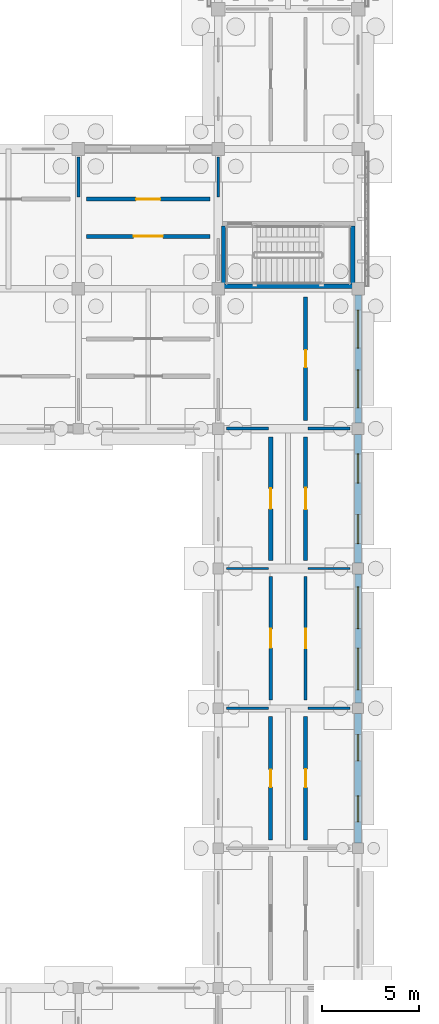
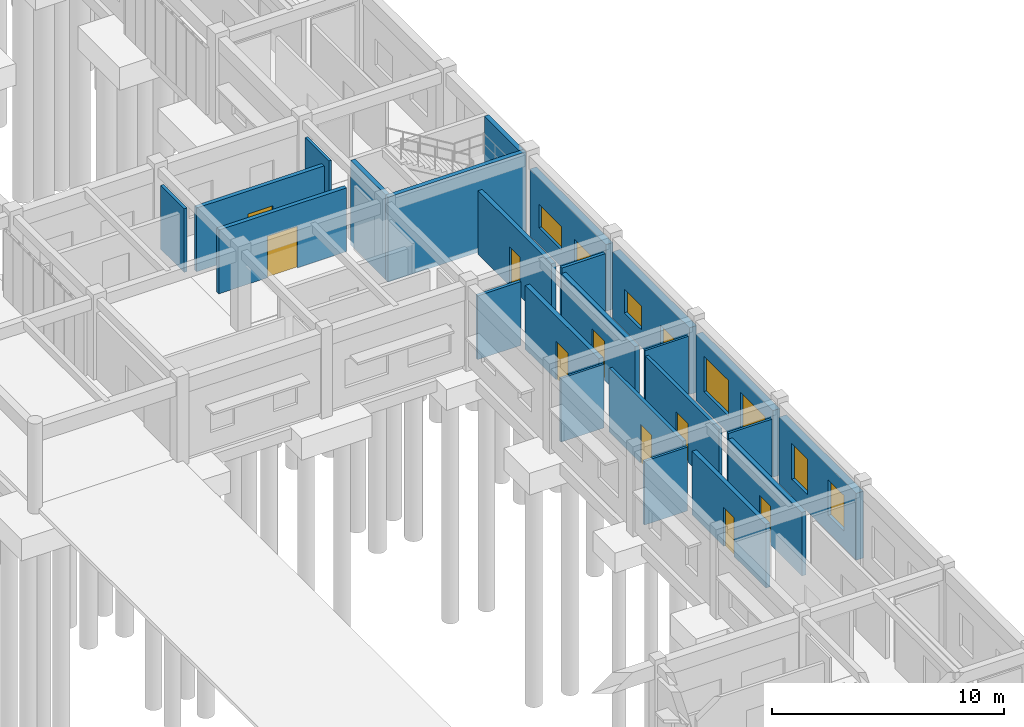
# One storey, part 79 of 111: 24 walls, 9 doors, 8 windows, 17 openings.
"""IFC4 building model written with IfcOpenShell, lengths in metres."""

from ifc_helpers import new_model, si_unit, direction, frame, frame_2d, origin, place, context, subcontext, project, spatial, rectangle, extrude, material, layer, layer_set, type_object, element, fill, save


model = new_model("IFC4")

# Units and contexts
model_context = context("Model", 3, precision=1e-05, world=origin(), true_north=direction((0.0, 1.0)))
body_context = subcontext(model_context, "Body", "Model", "MODEL_VIEW")
ifc_project = project(units=[si_unit("LENGTHUNIT", "METRE"), si_unit("AREAUNIT", "SQUARE_METRE"), si_unit("VOLUMEUNIT", "CUBIC_METRE"), si_unit("PLANEANGLEUNIT", "RADIAN"), si_unit("MASSUNIT", "GRAM", prefix="KILO")], contexts=[model_context])

# Site, building, storey
site_placement = place(None, origin())
site = spatial("IfcSite", under=ifc_project, at=site_placement, CompositionType="ELEMENT")
building_placement = place(site_placement, origin())
building = spatial("IfcBuilding", under=site, at=building_placement, Name="Aldebral Square Health Centre", CompositionType="ELEMENT")
storey_placement = place(building_placement, origin())
storey = spatial("IfcBuildingStorey", under=building, at=storey_placement, Name="L00", CompositionType="ELEMENT", Elevation=0.0)

# Wall, openings, windows
ifc_material_1 = material(Name="Cream cantera stone and concrete wall C35/45", Category="masonry")
ifc_layer_1 = layer(ifc_material_1, 0.340087890625, Name="Cream cantera stone and concrete wall C35/45", Category="masonry")
ifc_layer_set_1 = layer_set([ifc_layer_1], Name="Cream cantera stone and concrete wall C35/45")
wall_type_1 = type_object("IfcWallType", Name="EW-CAN-340", PredefinedType="SOLIDWALL", material=ifc_layer_set_1)
wall_1_placement = place(storey_placement, frame((165.60009765625, 36.27490234375, 0.0), z_axis=(0.0, 0.0, 1.0), x_axis=(0.0, 1.0, 0.0)))
wall_1 = element("IfcWall", 1, at=wall_1_placement, inside=storey, type_object=wall_type_1, Name="L00 V3 exterior wall L00-V3-22-05-E", PredefinedType="SOLIDWALL", context=body_context, shape_type="SweptSolid", body=[
    extrude(rectangle(XDim=6.650146484375, YDim=0.340087890625, at=frame_2d((3.3251953125, 0.0))), origin(), (0.0, 0.0, 1.0), 3.52001953125),
])
opening_1_placement = place(wall_1_placement, frame((0.675048828125, 0.0, 0.89990234375)))
opening_1 = element("IfcOpeningElement", 2, at=opening_1_placement, cuts=wall_1, Name="Opening W54", PredefinedType="OPENING", context=body_context, shape_type="SweptSolid", body=[
    extrude(rectangle(XDim=2.14990234375, YDim=1.8798828125, at=frame_2d((1.074951171875, 0.93994140625))), frame((0.0, 0.18017578125, 0.0), z_axis=(0.0, -1.0, 0.0), x_axis=(1.0, 0.0, 0.0)), (0.0, 0.0, 1.0), 0.360107421875),
])
opening_2_placement = place(wall_1_placement, frame((3.824951171875, 0.0, 0.89990234375)))
opening_2 = element("IfcOpeningElement", 3, at=opening_2_placement, cuts=wall_1, Name="Opening W54", PredefinedType="OPENING", context=body_context, shape_type="SweptSolid", body=[
    extrude(rectangle(XDim=2.14990234375, YDim=1.8798828125, at=frame_2d((1.074951171875, 0.93994140625))), frame((0.0, 0.18017578125, 0.0), z_axis=(0.0, -1.0, 0.0), x_axis=(1.0, 0.0, 0.0)), (0.0, 0.0, 1.0), 0.360107421875),
])
ifc_material_2 = material(Name="Thermally broken aluminium and low-E glass", Category="aluminium")
window_type_1 = type_object("IfcWindowType", Name="WIN-W54", PartitioningType="SINGLE_PANEL", PredefinedType="WINDOW", material=ifc_material_2)
window_1_placement = place(opening_1_placement, origin())
window_1 = element("IfcWindow", 4, at=window_1_placement, inside=storey, type_object=window_type_1, Name="L00 clinical window L00-V3-22-05-E.1", OverallHeight=1.8798828125, OverallWidth=2.14990234375, PartitioningType="SINGLE_PANEL", PredefinedType="WINDOW", context=body_context, shape_type="SweptSolid", body=[
    extrude(rectangle(XDim=2.14990234375, YDim=1.8798828125, at=frame_2d((1.074951171875, 0.93994140625))), frame((0.0, 0.030029296875, 0.0), z_axis=(0.0, -1.0, 0.0), x_axis=(1.0, 0.0, 0.0)), (0.0, 0.0, 1.0), 0.06005859375),
])
fill(opening_1, window_1)
window_2_placement = place(opening_2_placement, origin())
window_2 = element("IfcWindow", 5, at=window_2_placement, inside=storey, type_object=window_type_1, Name="L00 clinical window L00-V3-22-05-E.2", OverallHeight=1.8798828125, OverallWidth=2.14990234375, PartitioningType="SINGLE_PANEL", PredefinedType="WINDOW", context=body_context, shape_type="SweptSolid", body=[
    extrude(rectangle(XDim=2.14990234375, YDim=1.8798828125, at=frame_2d((1.074951171875, 0.93994140625))), frame((0.0, 0.030029296875, 0.0), z_axis=(0.0, -1.0, 0.0), x_axis=(1.0, 0.0, 0.0)), (0.0, 0.0, 1.0), 0.06005859375),
])
fill(opening_2, window_2)

wall_2_placement = place(storey_placement, frame((165.60009765625, 50.699951171875, 0.0), z_axis=(0.0, 0.0, 1.0), x_axis=(0.0, 1.0, 0.0)))
wall_2 = element("IfcWall", 6, at=wall_2_placement, inside=storey, type_object=wall_type_1, Name="L00 V5 exterior wall L00-V5-22-07-E", PredefinedType="SOLIDWALL", context=body_context, shape_type="SweptSolid", body=[
    extrude(rectangle(XDim=6.574951171875, YDim=0.340087890625, at=frame_2d((3.28759765625, 0.0))), origin(), (0.0, 0.0, 1.0), 3.52001953125),
])
opening_3_placement = place(wall_2_placement, frame((0.77490234375, 0.0, 0.89990234375)))
opening_3 = element("IfcOpeningElement", 7, at=opening_3_placement, cuts=wall_2, Name="Opening W08", PredefinedType="OPENING", context=body_context, shape_type="SweptSolid", body=[
    extrude(rectangle(XDim=1.949951171875, YDim=1.25, at=frame_2d((0.97509765625, 0.625))), frame((0.0, 0.18017578125, 0.0), z_axis=(0.0, -1.0, 0.0), x_axis=(1.0, 0.0, 0.0)), (0.0, 0.0, 1.0), 0.360107421875),
])
opening_4_placement = place(wall_2_placement, frame((3.85009765625, 0.0, 0.89990234375)))
opening_4 = element("IfcOpeningElement", 8, at=opening_4_placement, cuts=wall_2, Name="Opening W08", PredefinedType="OPENING", context=body_context, shape_type="SweptSolid", body=[
    extrude(rectangle(XDim=1.949951171875, YDim=1.25, at=frame_2d((0.97509765625, 0.625))), frame((0.0, 0.18017578125, 0.0), z_axis=(0.0, -1.0, 0.0), x_axis=(1.0, 0.0, 0.0)), (0.0, 0.0, 1.0), 0.360107421875),
])
window_type_2 = type_object("IfcWindowType", Name="WIN-W08", PartitioningType="SINGLE_PANEL", PredefinedType="WINDOW", material=ifc_material_2)
window_3_placement = place(opening_3_placement, origin())
window_3 = element("IfcWindow", 9, at=window_3_placement, inside=storey, type_object=window_type_2, Name="L00 clinical window L00-V5-22-07-E.1", OverallHeight=1.25, OverallWidth=1.949951171875, PartitioningType="SINGLE_PANEL", PredefinedType="WINDOW", context=body_context, shape_type="SweptSolid", body=[
    extrude(rectangle(XDim=1.949951171875, YDim=1.25, at=frame_2d((0.97509765625, 0.625))), frame((0.0, 0.030029296875, 0.0), z_axis=(0.0, -1.0, 0.0), x_axis=(1.0, 0.0, 0.0)), (0.0, 0.0, 1.0), 0.06005859375),
])
fill(opening_3, window_3)
window_4_placement = place(opening_4_placement, origin())
window_4 = element("IfcWindow", 10, at=window_4_placement, inside=storey, type_object=window_type_2, Name="L00 clinical window L00-V5-22-07-E.2", OverallHeight=1.25, OverallWidth=1.949951171875, PartitioningType="SINGLE_PANEL", PredefinedType="WINDOW", context=body_context, shape_type="SweptSolid", body=[
    extrude(rectangle(XDim=1.949951171875, YDim=1.25, at=frame_2d((0.97509765625, 0.625))), frame((0.0, 0.030029296875, 0.0), z_axis=(0.0, -1.0, 0.0), x_axis=(1.0, 0.0, 0.0)), (0.0, 0.0, 1.0), 0.06005859375),
])
fill(opening_4, window_4)

ifc_layer_2 = layer(ifc_material_1, 0.360107421875, Name="Cream cantera stone and concrete wall C35/45", Category="masonry")
ifc_layer_set_2 = layer_set([ifc_layer_2], Name="Cream cantera stone and concrete wall C35/45")
wall_type_2 = type_object("IfcWallType", Name="EW-CAN-360", PredefinedType="SOLIDWALL", material=ifc_layer_set_2)
wall_3_placement = place(storey_placement, frame((165.60009765625, 29.074951171875, 0.0), z_axis=(0.0, 0.0, 1.0), x_axis=(0.0, 1.0, 0.0)))
wall_3 = element("IfcWall", 11, at=wall_3_placement, inside=storey, type_object=wall_type_2, Name="L00 V3 exterior wall L00-V3-22-04-E", PredefinedType="SOLIDWALL", context=body_context, shape_type="SweptSolid", body=[
    extrude(rectangle(XDim=6.650146484375, YDim=0.360107421875, at=frame_2d((3.3251953125, 0.0))), origin(), (0.0, 0.0, 1.0), 3.52001953125),
])
opening_5_placement = place(wall_3_placement, frame((1.074951171875, 0.0, 0.89990234375)))
opening_5 = element("IfcOpeningElement", 12, at=opening_5_placement, cuts=wall_3, Name="Opening W49", PredefinedType="OPENING", context=body_context, shape_type="SweptSolid", body=[
    extrude(rectangle(XDim=1.35009765625, YDim=1.8798828125, at=frame_2d((0.675048828125, 0.93994140625))), frame((0.0, 0.18994140625, 0.0), z_axis=(0.0, -1.0, 0.0), x_axis=(1.0, 0.0, 0.0)), (0.0, 0.0, 1.0), 0.380126953125),
])
opening_6_placement = place(wall_3_placement, frame((4.22509765625, 0.0, 0.89990234375)))
opening_6 = element("IfcOpeningElement", 13, at=opening_6_placement, cuts=wall_3, Name="Opening W49", PredefinedType="OPENING", context=body_context, shape_type="SweptSolid", body=[
    extrude(rectangle(XDim=1.35009765625, YDim=1.8798828125, at=frame_2d((0.675048828125, 0.93994140625))), frame((0.0, 0.18994140625, 0.0), z_axis=(0.0, -1.0, 0.0), x_axis=(1.0, 0.0, 0.0)), (0.0, 0.0, 1.0), 0.380126953125),
])
window_type_3 = type_object("IfcWindowType", Name="WIN-W49", PartitioningType="SINGLE_PANEL", PredefinedType="WINDOW", material=ifc_material_2)
window_5_placement = place(opening_5_placement, origin())
window_5 = element("IfcWindow", 14, at=window_5_placement, inside=storey, type_object=window_type_3, Name="L00 clinical window L00-V3-22-04-E.1", OverallHeight=1.8798828125, OverallWidth=1.35009765625, PartitioningType="SINGLE_PANEL", PredefinedType="WINDOW", context=body_context, shape_type="SweptSolid", body=[
    extrude(rectangle(XDim=1.35009765625, YDim=1.8798828125, at=frame_2d((0.675048828125, 0.93994140625))), frame((0.0, 0.030029296875, 0.0), z_axis=(0.0, -1.0, 0.0), x_axis=(1.0, 0.0, 0.0)), (0.0, 0.0, 1.0), 0.06005859375),
])
fill(opening_5, window_5)
window_6_placement = place(opening_6_placement, origin())
window_6 = element("IfcWindow", 15, at=window_6_placement, inside=storey, type_object=window_type_3, Name="L00 clinical window L00-V3-22-04-E.2", OverallHeight=1.8798828125, OverallWidth=1.35009765625, PartitioningType="SINGLE_PANEL", PredefinedType="WINDOW", context=body_context, shape_type="SweptSolid", body=[
    extrude(rectangle(XDim=1.35009765625, YDim=1.8798828125, at=frame_2d((0.675048828125, 0.93994140625))), frame((0.0, 0.030029296875, 0.0), z_axis=(0.0, -1.0, 0.0), x_axis=(1.0, 0.0, 0.0)), (0.0, 0.0, 1.0), 0.06005859375),
])
fill(opening_6, window_6)

wall_4_placement = place(storey_placement, frame((165.60009765625, 43.47509765625, 0.0), z_axis=(0.0, 0.0, 1.0), x_axis=(0.0, 1.0, 0.0)))
wall_4 = element("IfcWall", 16, at=wall_4_placement, inside=storey, type_object=wall_type_2, Name="L00 V3 exterior wall L00-V3-22-06-E", PredefinedType="SOLIDWALL", context=body_context, shape_type="SweptSolid", body=[
    extrude(rectangle(XDim=6.625, YDim=0.360107421875, at=frame_2d((3.3125, 0.0))), origin(), (0.0, 0.0, 1.0), 3.52001953125),
])
opening_7_placement = place(wall_4_placement, frame((1.0, 0.0, 0.89990234375)))
opening_7 = element("IfcOpeningElement", 17, at=opening_7_placement, cuts=wall_4, Name="Opening W05", PredefinedType="OPENING", context=body_context, shape_type="SweptSolid", body=[
    extrude(rectangle(XDim=1.5, YDim=1.25, at=frame_2d((0.75, 0.625))), frame((0.0, 0.18994140625, 0.0), z_axis=(0.0, -1.0, 0.0), x_axis=(1.0, 0.0, 0.0)), (0.0, 0.0, 1.0), 0.380126953125),
])
opening_8_placement = place(wall_4_placement, frame((4.125, 0.0, 0.89990234375)))
opening_8 = element("IfcOpeningElement", 18, at=opening_8_placement, cuts=wall_4, Name="Opening W05", PredefinedType="OPENING", context=body_context, shape_type="SweptSolid", body=[
    extrude(rectangle(XDim=1.5, YDim=1.25, at=frame_2d((0.75, 0.625))), frame((0.0, 0.18994140625, 0.0), z_axis=(0.0, -1.0, 0.0), x_axis=(1.0, 0.0, 0.0)), (0.0, 0.0, 1.0), 0.380126953125),
])
window_type_4 = type_object("IfcWindowType", Name="WIN-W05", PartitioningType="SINGLE_PANEL", PredefinedType="WINDOW", material=ifc_material_2)
window_7_placement = place(opening_7_placement, origin())
window_7 = element("IfcWindow", 19, at=window_7_placement, inside=storey, type_object=window_type_4, Name="L00 clinical window L00-V3-22-06-E.1", OverallHeight=1.25, OverallWidth=1.5, PartitioningType="SINGLE_PANEL", PredefinedType="WINDOW", context=body_context, shape_type="SweptSolid", body=[
    extrude(rectangle(XDim=1.5, YDim=1.25, at=frame_2d((0.75, 0.625))), frame((0.0, 0.030029296875, 0.0), z_axis=(0.0, -1.0, 0.0), x_axis=(1.0, 0.0, 0.0)), (0.0, 0.0, 1.0), 0.06005859375),
])
fill(opening_7, window_7)
window_8_placement = place(opening_8_placement, origin())
window_8 = element("IfcWindow", 20, at=window_8_placement, inside=storey, type_object=window_type_4, Name="L00 clinical window L00-V3-22-06-E.2", OverallHeight=1.25, OverallWidth=1.5, PartitioningType="SINGLE_PANEL", PredefinedType="WINDOW", context=body_context, shape_type="SweptSolid", body=[
    extrude(rectangle(XDim=1.5, YDim=1.25, at=frame_2d((0.75, 0.625))), frame((0.0, 0.030029296875, 0.0), z_axis=(0.0, -1.0, 0.0), x_axis=(1.0, 0.0, 0.0)), (0.0, 0.0, 1.0), 0.06005859375),
])
fill(opening_8, window_8)

# Wall, opening, door
ifc_material_3 = material(Name="Concrete C35/45 compartment wall", Category="concrete")
ifc_layer_3 = layer(ifc_material_3, 0.199951171875, Name="Concrete C35/45 compartment wall", Category="concrete")
ifc_layer_set_3 = layer_set([ifc_layer_3], Name="Concrete C35/45 compartment wall")
wall_type_3 = type_object("IfcWallType", Name="IW-CMP-200", PredefinedType="SOLIDWALL", material=ifc_layer_set_3)
wall_5_placement = place(storey_placement, frame((151.6201171875, 60.300048828125, 0.0), z_axis=(0.0, 0.0, 1.0), x_axis=(1.0, 0.0, 0.0)))
wall_5 = element("IfcWall", 21, at=wall_5_placement, inside=storey, type_object=wall_type_3, Name="L00 Prenatal Ultrasound Room 22.9S corridor wall", PredefinedType="SOLIDWALL", context=body_context, shape_type="SweptSolid", body=[
    extrude(rectangle(XDim=6.35986328125, YDim=0.199951171875, at=frame_2d((3.179931640625, 0.0))), origin(), (0.0, 0.0, 1.0), 3.360107421875),
])
opening_9_placement = place(wall_5_placement, frame((2.429931640625, 0.0, 0.0)))
opening_9 = element("IfcOpeningElement", 22, at=opening_9_placement, cuts=wall_5, Name="Opening D-0147", PredefinedType="OPENING", context=body_context, shape_type="SweptSolid", body=[
    extrude(rectangle(XDim=1.5, YDim=2.18994140625, at=frame_2d((0.75, 1.094970703125))), frame((0.0, 0.10986328125, 0.0), z_axis=(0.0, -1.0, 0.0), x_axis=(1.0, 0.0, 0.0)), (0.0, 0.0, 1.0), 0.219970703125),
])
ifc_material_4 = material(Name="Clinical suite fire door")
door_type_1 = type_object("IfcDoorType", Name="ID-EXD-63", OperationType="NOTDEFINED", PredefinedType="DOOR", material=ifc_material_4)
door_1_placement = place(opening_9_placement, origin())
door_1 = element("IfcDoor", 23, at=door_1_placement, inside=storey, type_object=door_type_1, Name="L00 Prenatal Ultrasound Room 22.9S door", OperationType="SINGLE_SWING_RIGHT", OverallHeight=2.18994140625, OverallWidth=1.5, PredefinedType="DOOR", context=body_context, shape_type="SweptSolid", body=[
    extrude(rectangle(XDim=1.5, YDim=2.18994140625, at=frame_2d((0.75, 1.094970703125))), frame((0.0, 0.02490234375, 0.0), z_axis=(0.0, -1.0, 0.0), x_axis=(1.0, 0.0, 0.0)), (0.0, 0.0, 1.0), 0.050048828125),
])
fill(opening_9, door_1)

wall_6_placement = place(storey_placement, frame((151.6201171875, 62.219970703125, 0.0), z_axis=(0.0, 0.0, 1.0), x_axis=(1.0, 0.0, 0.0)))
wall_6 = element("IfcWall", 24, at=wall_6_placement, inside=storey, type_object=wall_type_3, Name="L00 Lactation Counseling Room 22.9N corridor wall", PredefinedType="SOLIDWALL", context=body_context, shape_type="SweptSolid", body=[
    extrude(rectangle(XDim=6.35986328125, YDim=0.199951171875, at=frame_2d((3.179931640625, 0.0))), origin(), (0.0, 0.0, 1.0), 3.360107421875),
])
opening_10_placement = place(wall_6_placement, frame((2.554931640625, 0.0, 0.0)))
opening_10 = element("IfcOpeningElement", 25, at=opening_10_placement, cuts=wall_6, Name="Opening D-0148", PredefinedType="OPENING", context=body_context, shape_type="SweptSolid", body=[
    extrude(rectangle(XDim=1.25, YDim=2.14990234375, at=frame_2d((0.625, 1.074951171875))), frame((0.0, 0.10986328125, 0.0), z_axis=(0.0, -1.0, 0.0), x_axis=(1.0, 0.0, 0.0)), (0.0, 0.0, 1.0), 0.219970703125),
])
ifc_material_5 = material(Name="Stainless steel surgical lift landing door", Category="steel")
door_type_2 = type_object("IfcDoorType", Name="ID-LD-125", OperationType="SLIDING_TO_LEFT", PredefinedType="DOOR", material=ifc_material_5)
door_2_placement = place(opening_10_placement, origin())
door_2 = element("IfcDoor", 26, at=door_2_placement, inside=storey, type_object=door_type_2, Name="L00 Lactation Counseling Room 22.9N door", OperationType="SINGLE_SWING_LEFT", OverallHeight=2.14990234375, OverallWidth=1.25, PredefinedType="DOOR", context=body_context, shape_type="SweptSolid", body=[
    extrude(rectangle(XDim=1.25, YDim=2.14990234375, at=frame_2d((0.625, 1.074951171875))), frame((0.0, 0.02490234375, 0.0), z_axis=(0.0, -1.0, 0.0), x_axis=(1.0, 0.0, 0.0)), (0.0, 0.0, 1.0), 0.050048828125),
])
fill(opening_10, door_2)

ifc_layer_4 = layer(ifc_material_3, 0.219970703125, Name="Concrete C35/45 compartment wall", Category="concrete")
ifc_layer_set_4 = layer_set([ifc_layer_4], Name="Concrete C35/45 compartment wall")
wall_type_4 = type_object("IfcWallType", Name="IW-CMP-220", PredefinedType="SOLIDWALL", material=ifc_layer_set_4)
wall_7_placement = place(storey_placement, frame((161.10009765625, 43.6201171875, 0.0), z_axis=(0.0, 0.0, 1.0), x_axis=(0.0, 1.0, 0.0)))
wall_7 = element("IfcWall", 27, at=wall_7_placement, inside=storey, type_object=wall_type_4, Name="L00 Gait Assessment Studio 23.7W corridor wall", PredefinedType="SOLIDWALL", context=body_context, shape_type="SweptSolid", body=[
    extrude(rectangle(XDim=6.35986328125, YDim=0.219970703125, at=frame_2d((3.179931640625, 0.0))), origin(), (0.0, 0.0, 1.0), 3.360107421875),
])
opening_11_placement = place(wall_7_placement, frame((2.64990234375, 0.0, 0.0)))
opening_11 = element("IfcOpeningElement", 28, at=opening_11_placement, cuts=wall_7, Name="Opening D-0088", PredefinedType="OPENING", context=body_context, shape_type="SweptSolid", body=[
    extrude(rectangle(XDim=1.06005859375, YDim=2.0400390625, at=frame_2d((0.530029296875, 1.02001953125))), frame((0.0, 0.1201171875, 0.0), z_axis=(0.0, -1.0, 0.0), x_axis=(1.0, 0.0, 0.0)), (0.0, 0.0, 1.0), 0.239990234375),
])
door_type_3 = type_object("IfcDoorType", Name="ID-EXD-04", OperationType="NOTDEFINED", PredefinedType="DOOR", material=ifc_material_4)
door_3_placement = place(opening_11_placement, origin())
door_3 = element("IfcDoor", 29, at=door_3_placement, inside=storey, type_object=door_type_3, Name="L00 Gait Assessment Studio 23.7W door", OperationType="SINGLE_SWING_LEFT", OverallHeight=2.0400390625, OverallWidth=1.06005859375, PredefinedType="DOOR", context=body_context, shape_type="SweptSolid", body=[
    extrude(rectangle(XDim=1.06005859375, YDim=2.0400390625, at=frame_2d((0.530029296875, 1.02001953125))), frame((0.0, 0.02490234375, 0.0), z_axis=(0.0, -1.0, 0.0), x_axis=(1.0, 0.0, 0.0)), (0.0, 0.0, 1.0), 0.050048828125),
])
fill(opening_11, door_3)

ifc_material_6 = material(Name="Fire-rated acoustic gypsum partition")
ifc_layer_5 = layer(ifc_material_6, 0.1650390625, Name="Fire-rated acoustic gypsum partition")
ifc_layer_set_5 = layer_set([ifc_layer_5], Name="Fire-rated acoustic gypsum partition")
wall_type_5 = type_object("IfcWallType", Name="IW-COR-165", PredefinedType="PARTITIONING", material=ifc_layer_set_5)
wall_8_placement = place(storey_placement, frame((161.10009765625, 36.419921875, 0.0), z_axis=(0.0, 0.0, 1.0), x_axis=(0.0, 1.0, 0.0)))
wall_8 = element("IfcWall", 30, at=wall_8_placement, inside=storey, type_object=wall_type_5, Name="L00 Rehabilitation Gym 23.6W corridor wall", PredefinedType="PARTITIONING", context=body_context, shape_type="SweptSolid", body=[
    extrude(rectangle(XDim=6.360107421875, YDim=0.1650390625, at=frame_2d((3.18017578125, 0.0))), origin(), (0.0, 0.0, 1.0), 3.360107421875),
])
opening_12_placement = place(wall_8_placement, frame((2.68994140625, 0.0, 0.0)))
opening_12 = element("IfcOpeningElement", 31, at=opening_12_placement, cuts=wall_8, Name="Opening D-0086", PredefinedType="OPENING", context=body_context, shape_type="SweptSolid", body=[
    extrude(rectangle(XDim=0.97998046875, YDim=2.0400390625, at=frame_2d((0.489990234375, 1.02001953125))), frame((0.0, 0.092529296875, 0.0), z_axis=(0.0, -1.0, 0.0), x_axis=(1.0, 0.0, 0.0)), (0.0, 0.0, 1.0), 0.18505859375),
])
door_type_4 = type_object("IfcDoorType", Name="ID-EXD-02", OperationType="NOTDEFINED", PredefinedType="DOOR", material=ifc_material_4)
door_4_placement = place(opening_12_placement, origin())
door_4 = element("IfcDoor", 32, at=door_4_placement, inside=storey, type_object=door_type_4, Name="L00 Rehabilitation Gym 23.6W door", OperationType="SINGLE_SWING_LEFT", OverallHeight=2.0400390625, OverallWidth=0.97998046875, PredefinedType="DOOR", context=body_context, shape_type="SweptSolid", body=[
    extrude(rectangle(XDim=0.97998046875, YDim=2.0400390625, at=frame_2d((0.489990234375, 1.02001953125))), frame((0.0, 0.02490234375, 0.0), z_axis=(0.0, -1.0, 0.0), x_axis=(1.0, 0.0, 0.0)), (0.0, 0.0, 1.0), 0.050048828125),
])
fill(opening_12, door_4)

wall_9_placement = place(storey_placement, frame((162.89990234375, 36.419921875, 0.0), z_axis=(0.0, 0.0, 1.0), x_axis=(0.0, 1.0, 0.0)))
wall_9 = element("IfcWall", 33, at=wall_9_placement, inside=storey, type_object=wall_type_5, Name="L00 Physiotherapy Cubicles 23.6E corridor wall", PredefinedType="PARTITIONING", context=body_context, shape_type="SweptSolid", body=[
    extrude(rectangle(XDim=6.360107421875, YDim=0.1650390625, at=frame_2d((3.18017578125, 0.0))), origin(), (0.0, 0.0, 1.0), 3.360107421875),
])
opening_13_placement = place(wall_9_placement, frame((2.669921875, 0.0, 0.0)))
opening_13 = element("IfcOpeningElement", 34, at=opening_13_placement, cuts=wall_9, Name="Opening D-0087", PredefinedType="OPENING", context=body_context, shape_type="SweptSolid", body=[
    extrude(rectangle(XDim=1.02001953125, YDim=2.0400390625, at=frame_2d((0.510009765625, 1.02001953125))), frame((0.0, 0.092529296875, 0.0), z_axis=(0.0, -1.0, 0.0), x_axis=(1.0, 0.0, 0.0)), (0.0, 0.0, 1.0), 0.18505859375),
])
door_type_5 = type_object("IfcDoorType", Name="ID-EXD-03", OperationType="NOTDEFINED", PredefinedType="DOOR", material=ifc_material_4)
door_5_placement = place(opening_13_placement, origin())
door_5 = element("IfcDoor", 35, at=door_5_placement, inside=storey, type_object=door_type_5, Name="L00 Physiotherapy Cubicles 23.6E door", OperationType="SINGLE_SWING_RIGHT", OverallHeight=2.0400390625, OverallWidth=1.02001953125, PredefinedType="DOOR", context=body_context, shape_type="SweptSolid", body=[
    extrude(rectangle(XDim=1.02001953125, YDim=2.0400390625, at=frame_2d((0.510009765625, 1.02001953125))), frame((0.0, 0.02490234375, 0.0), z_axis=(0.0, -1.0, 0.0), x_axis=(1.0, 0.0, 0.0)), (0.0, 0.0, 1.0), 0.050048828125),
])
fill(opening_13, door_5)

# Walls
ifc_material_7 = material(Name="Concrete C40/50", Category="concrete")
ifc_layer_6 = layer(ifc_material_7, 0.219970703125, Name="Concrete C40/50", Category="concrete")
ifc_layer_set_6 = layer_set([ifc_layer_6], Name="Concrete C40/50")
wall_type_6 = type_object("IfcWallType", Name="IW-CORE-280", PredefinedType="SHEAR", material=ifc_layer_set_6)
wall_10_placement = place(storey_placement, frame((158.56005859375, 57.72998046875, -0.25), z_axis=(0.0, 0.0, 1.0), x_axis=(1.0, 0.0, 0.0)))
element("IfcWall", 36, at=wall_10_placement, inside=storey, type_object=wall_type_6, Name="L00 WS-S9 shaft wall S", PredefinedType="SHEAR", context=body_context, shape_type="SweptSolid", body=[
    extrude(rectangle(XDim=6.8798828125, YDim=0.219970703125, at=frame_2d((3.43994140625, 0.0))), origin(), (0.0, 0.0, 1.0), 4.469970703125),
])
for number, where, z_axis, x_axis, name in (
    (37, (158.669921875, 57.840087890625, -0.25), (0.0, 0.0, 1.0), (0.0, 1.0, 0.0), "L00 WS-S9 shaft wall W"),
    (38, (165.330078125, 57.840087890625, -0.25), (0.0, 0.0, 1.0), (0.0, 1.0, 0.0), "L00 WS-S9 shaft wall E"),
):
    element("IfcWall", number, at=place(storey_placement, frame(where, z_axis=z_axis, x_axis=x_axis)), inside=storey, type_object=wall_type_6, Name=name, PredefinedType="SHEAR", context=body_context, shape_type="SweptSolid", body=[
        extrude(rectangle(XDim=3.0, YDim=0.219970703125, at=frame_2d((1.5, 0.0))), origin(), (0.0, 0.0, 1.0), 4.469970703125),
    ])

# Wall, opening, door
ifc_material_8 = material(Name="Moisture-resistant sanitary chase wall")
ifc_layer_7 = layer(ifc_material_8, 0.2099609375, Name="Moisture-resistant sanitary chase wall")
ifc_layer_set_7 = layer_set([ifc_layer_7], Name="Moisture-resistant sanitary chase wall")
wall_type_7 = type_object("IfcWallType", Name="IW-PLB-210", PredefinedType="PLUMBINGWALL", material=ifc_layer_set_7)
wall_11_placement = place(storey_placement, frame((161.10009765625, 29.219970703125, 0.0), z_axis=(0.0, 0.0, 1.0), x_axis=(0.0, 1.0, 0.0)))
wall_11 = element("IfcWall", 39, at=wall_11_placement, inside=storey, type_object=wall_type_7, Name="L00 Accessible WC 23.5W corridor wall", PredefinedType="PLUMBINGWALL", context=body_context, shape_type="SweptSolid", body=[
    extrude(rectangle(XDim=6.360107421875, YDim=0.2099609375, at=frame_2d((3.18017578125, 0.0))), origin(), (0.0, 0.0, 1.0), 3.360107421875),
])
opening_14_placement = place(wall_11_placement, frame((2.72998046875, 0.0, 0.0)))
opening_14 = element("IfcOpeningElement", 40, at=opening_14_placement, cuts=wall_11, Name="Opening D-0084", PredefinedType="OPENING", context=body_context, shape_type="SweptSolid", body=[
    extrude(rectangle(XDim=0.89990234375, YDim=2.0400390625, at=frame_2d((0.449951171875, 1.02001953125))), frame((0.0, 0.114990234375, 0.0), z_axis=(0.0, -1.0, 0.0), x_axis=(1.0, 0.0, 0.0)), (0.0, 0.0, 1.0), 0.22998046875),
])
door_type_6 = type_object("IfcDoorType", Name="ID-EXD-00", OperationType="NOTDEFINED", PredefinedType="DOOR", material=ifc_material_4)
door_6_placement = place(opening_14_placement, origin())
door_6 = element("IfcDoor", 41, at=door_6_placement, inside=storey, type_object=door_type_6, Name="L00 Accessible WC 23.5W door", OperationType="SINGLE_SWING_LEFT", OverallHeight=2.0400390625, OverallWidth=0.89990234375, PredefinedType="DOOR", context=body_context, shape_type="SweptSolid", body=[
    extrude(rectangle(XDim=0.89990234375, YDim=2.0400390625, at=frame_2d((0.449951171875, 1.02001953125))), frame((0.0, 0.02490234375, 0.0), z_axis=(0.0, -1.0, 0.0), x_axis=(1.0, 0.0, 0.0)), (0.0, 0.0, 1.0), 0.050048828125),
])
fill(opening_14, door_6)

wall_12_placement = place(storey_placement, frame((162.89990234375, 29.219970703125, 0.0), z_axis=(0.0, 0.0, 1.0), x_axis=(0.0, 1.0, 0.0)))
wall_12 = element("IfcWall", 42, at=wall_12_placement, inside=storey, type_object=wall_type_7, Name="L00 Staff Toilet 23.5E corridor wall", PredefinedType="PLUMBINGWALL", context=body_context, shape_type="SweptSolid", body=[
    extrude(rectangle(XDim=6.360107421875, YDim=0.2099609375, at=frame_2d((3.18017578125, 0.0))), origin(), (0.0, 0.0, 1.0), 3.360107421875),
])
opening_15_placement = place(wall_12_placement, frame((2.7099609375, 0.0, 0.0)))
opening_15 = element("IfcOpeningElement", 43, at=opening_15_placement, cuts=wall_12, Name="Opening D-0085", PredefinedType="OPENING", context=body_context, shape_type="SweptSolid", body=[
    extrude(rectangle(XDim=0.93994140625, YDim=2.0400390625, at=frame_2d((0.469970703125, 1.02001953125))), frame((0.0, 0.114990234375, 0.0), z_axis=(0.0, -1.0, 0.0), x_axis=(1.0, 0.0, 0.0)), (0.0, 0.0, 1.0), 0.22998046875),
])
door_type_7 = type_object("IfcDoorType", Name="ID-EXD-01", OperationType="NOTDEFINED", PredefinedType="DOOR", material=ifc_material_4)
door_7_placement = place(opening_15_placement, origin())
door_7 = element("IfcDoor", 44, at=door_7_placement, inside=storey, type_object=door_type_7, Name="L00 Staff Toilet 23.5E door", OperationType="SINGLE_SWING_RIGHT", OverallHeight=2.0400390625, OverallWidth=0.93994140625, PredefinedType="DOOR", context=body_context, shape_type="SweptSolid", body=[
    extrude(rectangle(XDim=0.93994140625, YDim=2.0400390625, at=frame_2d((0.469970703125, 1.02001953125))), frame((0.0, 0.02490234375, 0.0), z_axis=(0.0, -1.0, 0.0), x_axis=(1.0, 0.0, 0.0)), (0.0, 0.0, 1.0), 0.050048828125),
])
fill(opening_15, door_7)

wall_13_placement = place(storey_placement, frame((162.89990234375, 43.6201171875, 0.0), z_axis=(0.0, 0.0, 1.0), x_axis=(0.0, 1.0, 0.0)))
wall_13 = element("IfcWall", 45, at=wall_13_placement, inside=storey, type_object=wall_type_7, Name="L00 Accessible WC 23.7E corridor wall", PredefinedType="PLUMBINGWALL", context=body_context, shape_type="SweptSolid", body=[
    extrude(rectangle(XDim=6.35986328125, YDim=0.2099609375, at=frame_2d((3.179931640625, 0.0))), origin(), (0.0, 0.0, 1.0), 3.360107421875),
])
opening_16_placement = place(wall_13_placement, frame((2.6298828125, 0.0, 0.0)))
opening_16 = element("IfcOpeningElement", 46, at=opening_16_placement, cuts=wall_13, Name="Opening D-0089", PredefinedType="OPENING", context=body_context, shape_type="SweptSolid", body=[
    extrude(rectangle(XDim=1.10009765625, YDim=2.0400390625, at=frame_2d((0.550048828125, 1.02001953125))), frame((0.0, 0.114990234375, 0.0), z_axis=(0.0, -1.0, 0.0), x_axis=(1.0, 0.0, 0.0)), (0.0, 0.0, 1.0), 0.22998046875),
])
door_type_8 = type_object("IfcDoorType", Name="ID-EXD-05", OperationType="NOTDEFINED", PredefinedType="DOOR", material=ifc_material_4)
door_8_placement = place(opening_16_placement, origin())
door_8 = element("IfcDoor", 47, at=door_8_placement, inside=storey, type_object=door_type_8, Name="L00 Accessible WC 23.7E door", OperationType="SINGLE_SWING_RIGHT", OverallHeight=2.0400390625, OverallWidth=1.10009765625, PredefinedType="DOOR", context=body_context, shape_type="SweptSolid", body=[
    extrude(rectangle(XDim=1.10009765625, YDim=2.0400390625, at=frame_2d((0.550048828125, 1.02001953125))), frame((0.0, 0.02490234375, 0.0), z_axis=(0.0, -1.0, 0.0), x_axis=(1.0, 0.0, 0.0)), (0.0, 0.0, 1.0), 0.050048828125),
])
fill(opening_16, door_8)

wall_14_placement = place(storey_placement, frame((162.89990234375, 50.820068359375, 0.0), z_axis=(0.0, 0.0, 1.0), x_axis=(0.0, 1.0, 0.0)))
wall_14 = element("IfcWall", 48, at=wall_14_placement, inside=storey, type_object=wall_type_7, Name="L00 Public Toilet 23.8E corridor wall", PredefinedType="PLUMBINGWALL", context=body_context, shape_type="SweptSolid", body=[
    extrude(rectangle(XDim=6.35986328125, YDim=0.2099609375, at=frame_2d((3.179931640625, 0.0))), origin(), (0.0, 0.0, 1.0), 3.360107421875),
])
opening_17_placement = place(wall_14_placement, frame((2.72998046875, 0.0, 0.0)))
opening_17 = element("IfcOpeningElement", 49, at=opening_17_placement, cuts=wall_14, Name="Opening D-0153", PredefinedType="OPENING", context=body_context, shape_type="SweptSolid", body=[
    extrude(rectangle(XDim=0.89990234375, YDim=2.0400390625, at=frame_2d((0.449951171875, 1.02001953125))), frame((0.0, 0.114990234375, 0.0), z_axis=(0.0, -1.0, 0.0), x_axis=(1.0, 0.0, 0.0)), (0.0, 0.0, 1.0), 0.22998046875),
])
door_9_placement = place(opening_17_placement, origin())
door_9 = element("IfcDoor", 50, at=door_9_placement, inside=storey, type_object=door_type_6, Name="L00 Public Toilet 23.8E door", OperationType="SINGLE_SWING_RIGHT", OverallHeight=2.0400390625, OverallWidth=0.89990234375, PredefinedType="DOOR", context=body_context, shape_type="SweptSolid", body=[
    extrude(rectangle(XDim=0.89990234375, YDim=2.0400390625, at=frame_2d((0.449951171875, 1.02001953125))), frame((0.0, 0.02490234375, 0.0), z_axis=(0.0, -1.0, 0.0), x_axis=(1.0, 0.0, 0.0)), (0.0, 0.0, 1.0), 0.050048828125),
])
fill(opening_17, door_9)

# Walls
ifc_material_9 = material(Name="Lightweight clinical partition")
ifc_layer_8 = layer(ifc_material_9, 0.10498046875, Name="Lightweight clinical partition")
ifc_layer_set_8 = layer_set([ifc_layer_8], Name="Lightweight clinical partition")
wall_type_8 = type_object("IfcWallType", Name="IW-PRT-105", PredefinedType="PARTITIONING", material=ifc_layer_set_8)
for number, where, z_axis, x_axis, name in (
    (51, (158.820068359375, 43.199951171875, 0.0), (0.0, 0.0, 1.0), (1.0, 0.0, 0.0), "L00 Rehabilitation Gym 23.6W demising partition"),
    (52, (163.02001953125, 43.199951171875, 0.0), (0.0, 0.0, 1.0), (1.0, 0.0, 0.0), "L00 Physiotherapy Cubicles 23.6E demising partition"),
):
    element("IfcWall", number, at=place(storey_placement, frame(where, z_axis=z_axis, x_axis=x_axis)), inside=storey, type_object=wall_type_8, Name=name, PredefinedType="PARTITIONING", context=body_context, shape_type="SweptSolid", body=[
        extrude(rectangle(XDim=2.159912109375, YDim=0.10498046875, at=frame_2d((1.080078125, 0.0))), origin(), (0.0, 0.0, 1.0), 3.360107421875),
    ])
ifc_material_10 = material(Name="Acoustic clinical gypsum partition")
ifc_layer_9 = layer(ifc_material_10, 0.1201171875, Name="Acoustic clinical gypsum partition")
ifc_layer_set_9 = layer_set([ifc_layer_9], Name="Acoustic clinical gypsum partition")
wall_type_9 = type_object("IfcWallType", Name="IW-PRT-120", PredefinedType="PARTITIONING", material=ifc_layer_set_9)
for number, where, z_axis, x_axis, name in (
    (53, (158.820068359375, 36.0, 0.0), (0.0, 0.0, 1.0), (1.0, 0.0, 0.0), "L00 Accessible WC 23.5W demising partition"),
    (54, (163.02001953125, 36.0, 0.0), (0.0, 0.0, 1.0), (1.0, 0.0, 0.0), "L00 Staff Toilet 23.5E demising partition"),
):
    element("IfcWall", number, at=place(storey_placement, frame(where, z_axis=z_axis, x_axis=x_axis)), inside=storey, type_object=wall_type_9, Name=name, PredefinedType="PARTITIONING", context=body_context, shape_type="SweptSolid", body=[
        extrude(rectangle(XDim=2.159912109375, YDim=0.1201171875, at=frame_2d((1.080078125, 0.0))), origin(), (0.0, 0.0, 1.0), 3.360107421875),
    ])
ifc_layer_10 = layer(ifc_material_10, 0.135009765625, Name="Acoustic clinical gypsum partition")
ifc_layer_set_10 = layer_set([ifc_layer_10], Name="Acoustic clinical gypsum partition")
wall_type_10 = type_object("IfcWallType", Name="IW-PRT-135", PredefinedType="PARTITIONING", material=ifc_layer_set_10)
wall_15_placement = place(storey_placement, frame((158.39990234375, 62.340087890625, 0.0), z_axis=(0.0, 0.0, 1.0), x_axis=(0.0, 1.0, 0.0)))
element("IfcWall", 55, at=wall_15_placement, inside=storey, type_object=wall_type_10, Name="L00 Lactation Counseling Room 22.9N demising partition", PredefinedType="PARTITIONING", context=body_context, shape_type="SweptSolid", body=[
    extrude(rectangle(XDim=2.039794921875, YDim=0.135009765625, at=frame_2d((1.02001953125, 0.0))), origin(), (0.0, 0.0, 1.0), 3.360107421875),
])
ifc_layer_11 = layer(ifc_material_10, 0.14990234375, Name="Acoustic clinical gypsum partition")
ifc_layer_set_11 = layer_set([ifc_layer_11], Name="Acoustic clinical gypsum partition")
wall_type_11 = type_object("IfcWallType", Name="IW-PRT-150", PredefinedType="PARTITIONING", material=ifc_layer_set_11)
for number, where, z_axis, x_axis, name in (
    (56, (158.820068359375, 50.39990234375, 0.0), (0.0, 0.0, 1.0), (1.0, 0.0, 0.0), "L00 Gait Assessment Studio 23.7W demising partition"),
    (57, (163.02001953125, 50.39990234375, 0.0), (0.0, 0.0, 1.0), (1.0, 0.0, 0.0), "L00 Accessible WC 23.7E demising partition"),
):
    element("IfcWall", number, at=place(storey_placement, frame(where, z_axis=z_axis, x_axis=x_axis)), inside=storey, type_object=wall_type_11, Name=name, PredefinedType="PARTITIONING", context=body_context, shape_type="SweptSolid", body=[
        extrude(rectangle(XDim=2.159912109375, YDim=0.14990234375, at=frame_2d((1.080078125, 0.0))), origin(), (0.0, 0.0, 1.0), 3.360107421875),
    ])
wall_16_placement = place(storey_placement, frame((151.199951171875, 62.340087890625, 0.0), z_axis=(0.0, 0.0, 1.0), x_axis=(0.0, 1.0, 0.0)))
element("IfcWall", 58, at=wall_16_placement, inside=storey, type_object=wall_type_11, Name="L00 Standby Power Plant Room 21.9N demising partition", PredefinedType="PARTITIONING", context=body_context, shape_type="SweptSolid", body=[
    extrude(rectangle(XDim=2.039794921875, YDim=0.14990234375, at=frame_2d((1.02001953125, 0.0))), origin(), (0.0, 0.0, 1.0), 3.360107421875),
])

save(model, "model.ifc")
